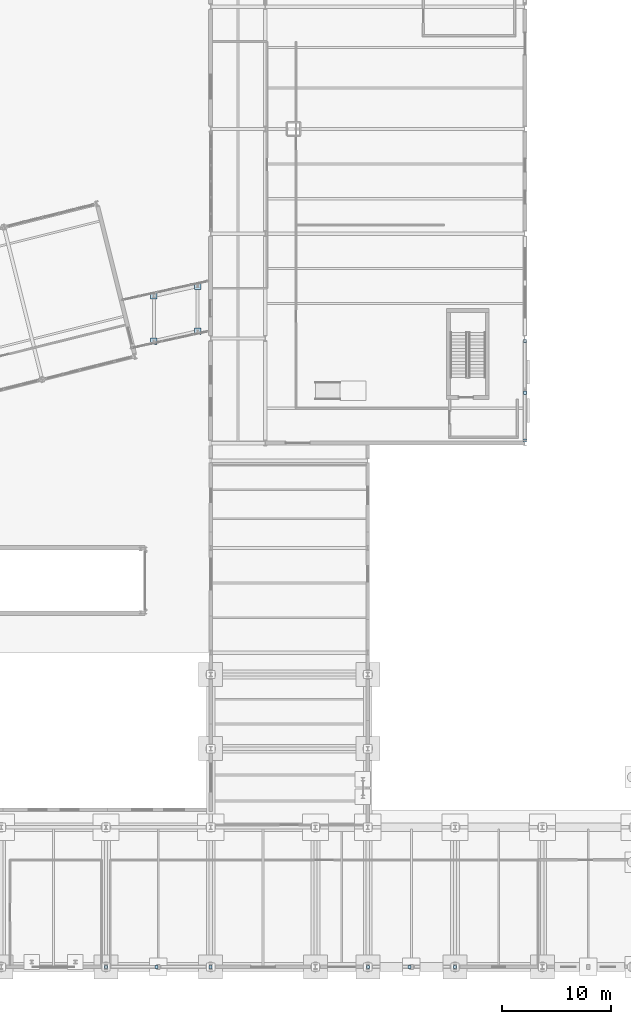
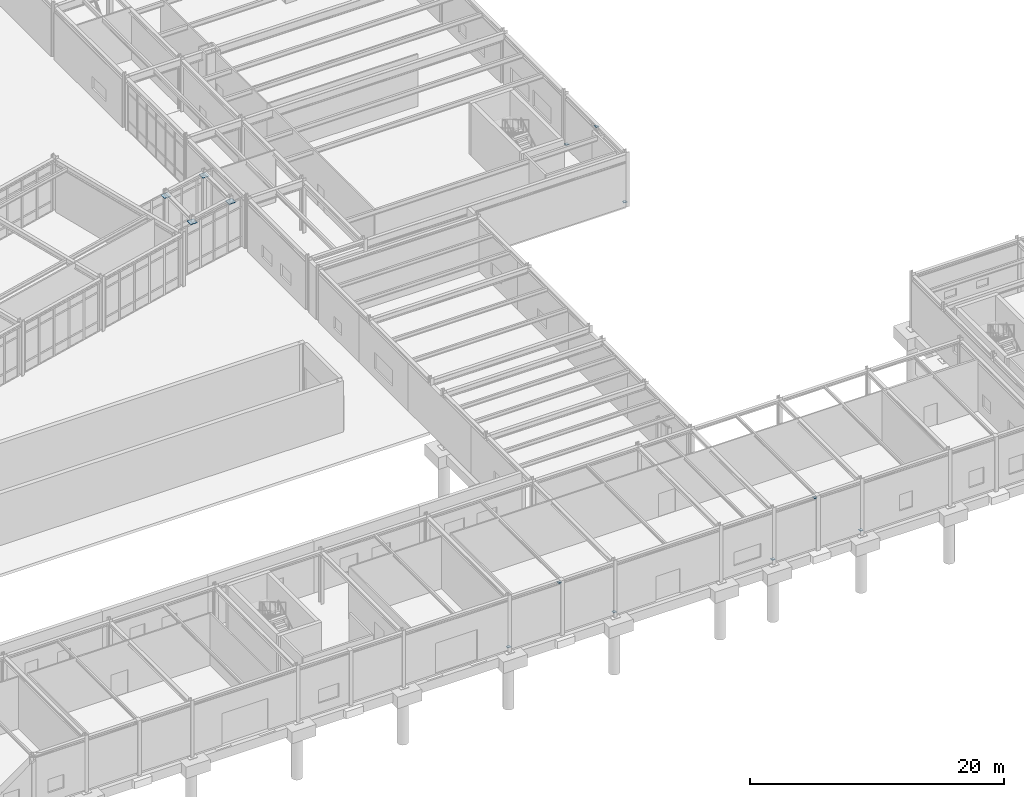
# One storey, part 79 of 109: 13 plates.
"""IFC4 building model written with IfcOpenShell, lengths in metres."""

from ifc_helpers import new_model, si_unit, direction, frame, origin, origin_2d, place, context, subcontext, project, spatial, rectangle, extrude, material, layer, layer_set, type_object, element, save


model = new_model("IFC4")

# Units and contexts
model_context = context("Model", 3, precision=1e-05, world=origin(), true_north=direction((0.0, 1.0)))
body_context = subcontext(model_context, "Body", "Model", "MODEL_VIEW")
ifc_project = project(units=[si_unit("LENGTHUNIT", "METRE"), si_unit("AREAUNIT", "SQUARE_METRE"), si_unit("VOLUMEUNIT", "CUBIC_METRE"), si_unit("PLANEANGLEUNIT", "RADIAN"), si_unit("MASSUNIT", "GRAM", prefix="KILO")], contexts=[model_context])

# Site, building, storey
site_placement = place(None, origin())
site = spatial("IfcSite", under=ifc_project, at=site_placement, CompositionType="ELEMENT")
building_placement = place(site_placement, origin())
building = spatial("IfcBuilding", under=site, at=building_placement, Name="Nordkorset Police Headquarters", CompositionType="ELEMENT")
storey_placement = place(building_placement, origin())
storey = spatial("IfcBuildingStorey", under=building, at=storey_placement, Name="L00", CompositionType="ELEMENT", Elevation=0.0)

# Plates
ifc_material_1 = material(Name="Steel S355J2", Category="steel")
ifc_layer_1 = layer(ifc_material_1, 0.02001953125, Name="Steel S355J2")
ifc_layer_set_1 = layer_set([ifc_layer_1], Name="Steel S355J2")
plate_type_1 = type_object("IfcPlateType", Name="SteelPlate_20mm", PredefinedType="SHEET", material=ifc_layer_set_1)
for number, where, z_axis, x_axis, name in (
    (1, (115.199951171875, 48.25, 0.18994140625), (0.0, 0.0, 1.0), (1.0, 0.0, 0.0), "Hollow Section End Cap Plate BF-EXT-V5E0-L00-D1-0"),
    (2, (115.199951171875, 52.6201171875, 4.77001953125), (0.0, 0.0, 1.0), (1.0, 0.0, 0.0), "Hollow Section End Cap Plate BF-EXT-V5E0-L00-D1-1"),
    (3, (115.199951171875, 57.35009765625, 0.18994140625), (0.0, 0.0, 1.0), (1.0, 0.0, 0.0), "Hollow Section End Cap Plate BF-EXT-V5E0-L00-D2-0"),
    (4, (76.806640625, 0.0, 0.18994140625), (0.0, 0.0, 1.0), (1.0, 0.0, 0.0), "Hollow Section End Cap Plate BF-EXT-V7S8-L00-D1-0"),
    (5, (81.419921875, 0.0, 4.77001953125), (0.0, 0.0, 1.0), (1.0, 0.0, 0.0), "Hollow Section End Cap Plate BF-EXT-V7S8-L00-D1-1"),
    (6, (86.393310546875, 0.0, 0.18994140625), (0.0, 0.0, 1.0), (1.0, 0.0, 0.0), "Hollow Section End Cap Plate BF-EXT-V7S8-L00-D2-0"),
    (7, (100.806640625, 0.0, 0.18994140625), (0.0, 0.0, 1.0), (1.0, 0.0, 0.0), "Hollow Section End Cap Plate BF-EXT-V7S11-L00-D1-0"),
    (8, (104.6201171875, 0.0, 4.77001953125), (0.0, 0.0, 1.0), (1.0, 0.0, 0.0), "Hollow Section End Cap Plate BF-EXT-V7S11-L00-D1-1"),
    (9, (108.793212890625, 0.0, 0.18994140625), (0.0, 0.0, 1.0), (1.0, 0.0, 0.0), "Hollow Section End Cap Plate BF-EXT-V7S11-L00-D2-0"),
):
    element("IfcPlate", number, at=place(storey_placement, frame(where, z_axis=z_axis, x_axis=x_axis)), inside=storey, type_object=plate_type_1, Name=name, PredefinedType="SHEET", context=body_context, shape_type="SweptSolid", body=[
        extrude(rectangle(XDim=0.2900390625, YDim=0.2900390625, at=origin_2d()), origin(), (0.0, 0.0, 1.0), 0.02001953125),
    ])
ifc_material_2 = material(Name="Steel S355J2", Category="steel")
ifc_layer_2 = layer(ifc_material_2, 0.0400390625, Name="Steel S355J2")
ifc_layer_set_2 = layer_set([ifc_layer_2], Name="Steel S355J2")
plate_type_2 = type_object("IfcPlateType", Name="SteelPlate_40mm", PredefinedType="SHEET", material=ifc_layer_set_2)
for number, where, z_axis, x_axis, name in (
    (10, (81.199951171875, 57.35009765625, 4.62109375), (0.0, 0.0, 1.0), (1.0, 0.0, 0.0), "Bridge Bearing Seat Plate 600mm BRG-E L00 1"),
    (11, (85.199951171875, 58.25, 4.62109375), (0.0, 0.0, 1.0), (1.0, 0.0, 0.0), "Bridge Bearing Seat Plate 600mm BRG-E L00 2"),
    (12, (81.199951171875, 61.5, 4.62109375), (0.0, 0.0, 1.0), (1.0, 0.0, 0.0), "Bridge Bearing Seat Plate 600mm BRG-E L00 3"),
    (13, (85.199951171875, 62.39990234375, 4.62109375), (0.0, 0.0, 1.0), (1.0, 0.0, 0.0), "Bridge Bearing Seat Plate 600mm BRG-E L00 4"),
):
    element("IfcPlate", number, at=place(storey_placement, frame(where, z_axis=z_axis, x_axis=x_axis)), inside=storey, type_object=plate_type_2, Name=name, PredefinedType="SHEET", context=body_context, shape_type="SweptSolid", body=[
        extrude(rectangle(XDim=0.60009765625, YDim=0.60009765625, at=origin_2d()), origin(), (0.0, 0.0, 1.0), 0.0400390625),
    ])

save(model, "model.ifc")
